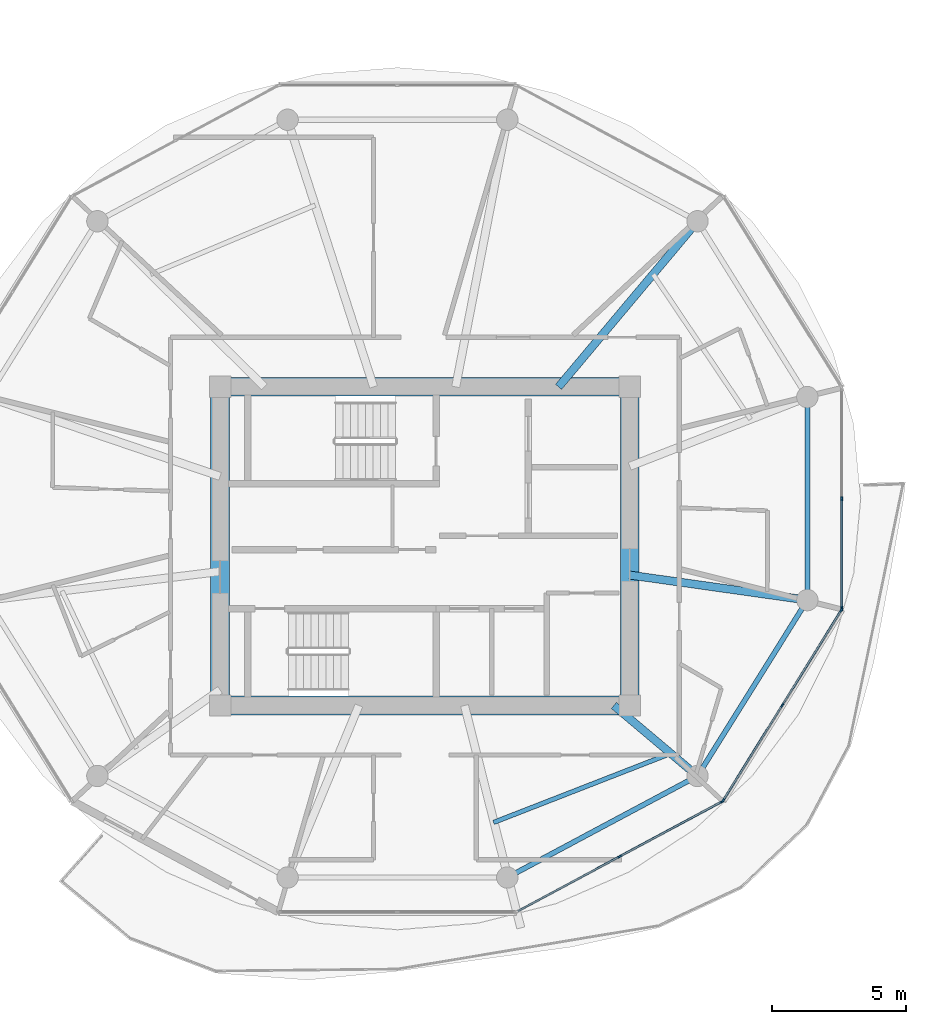
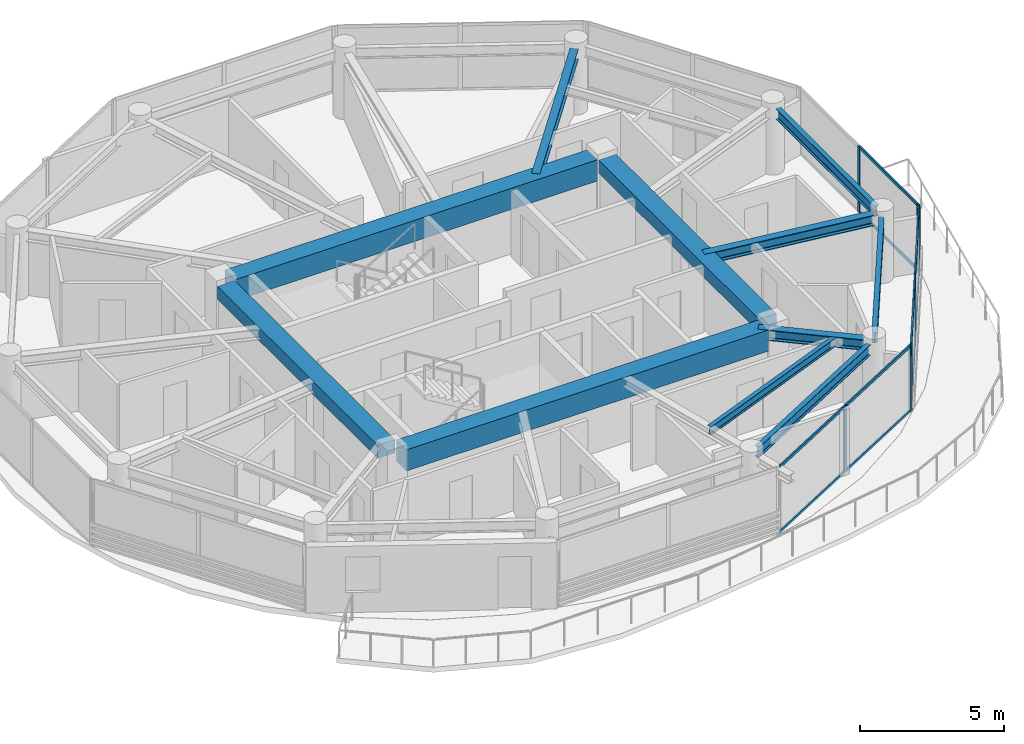
# One storey, part 9 of 24: 17 members, 11 beams, 3 elements without a shape of their own.
"""IFC4 building model written with IfcOpenShell, lengths in metres."""

from ifc_helpers import new_model, si_unit, direction, frame, origin, origin_2d, place, context, subcontext, project, spatial, rectangle, i_section, extrude, source, transform, mapped, material, layer, layer_set, material_profile, profile_set, type_object, type_shapes, element, aggregate, save


model = new_model("IFC4")

# Units and contexts
model_context = context("Model", 3, precision=1e-05, world=origin(), true_north=direction((0.0, 1.0)))
body_context = subcontext(model_context, "Body", "Model", "MODEL_VIEW")
ifc_project = project(units=[si_unit("LENGTHUNIT", "METRE"), si_unit("AREAUNIT", "SQUARE_METRE"), si_unit("VOLUMEUNIT", "CUBIC_METRE"), si_unit("PLANEANGLEUNIT", "RADIAN"), si_unit("MASSUNIT", "GRAM", prefix="KILO")], contexts=[model_context])

# Site, building, storey
site_placement = place(None, origin())
site = spatial("IfcSite", under=ifc_project, at=site_placement, CompositionType="ELEMENT")
building_placement = place(site_placement, origin())
building = spatial("IfcBuilding", under=site, at=building_placement, Name="Norrkilde Senior Care Towers", CompositionType="ELEMENT")
storey_placement = place(building_placement, frame((0.0, 0.0, 155.64990234375)))
storey = spatial("IfcBuildingStorey", under=building, at=storey_placement, Name="L48", CompositionType="ELEMENT", Elevation=155.64990234375)

# Beams
ifc_material_1 = material(Name="Concrete C60/75", Category="concrete")
ifc_material_profile_1 = material_profile(ifc_material_1, rectangle(XDim=0.699951171875, YDim=0.89990234375, at=origin_2d()), Name="RC BM 700x900")
ifc_profile_set_1 = profile_set([ifc_material_profile_1], Name="Concrete C60/75")
beam_type_1 = type_object("IfcBeamType", Name="Core Coupling Girder 700x900", PredefinedType="USERDEFINED", material=ifc_profile_set_1)
shared_shape_1 = source(origin(), body_context, "Body", "SweptSolid", [
    extrude(rectangle(XDim=0.699951171875, YDim=0.89990234375, at=origin_2d()), origin(), (0.0, 0.0, 1.0), 14.5400390625),
])
type_shapes(beam_type_1, [shared_shape_1])
for number, where, z_axis, x_axis, name in (
    (1, (20.72998046875, 5.949951171875, 2.360107421875), (1.0, 0.0, 0.0), (0.0, 1.0, 0.0), "L48 Core E N Coupling Girder"),
    (2, (20.72998046875, -5.949951171875, 2.360107421875), (1.0, 0.0, 0.0), (0.0, 1.0, 0.0), "L48 Core E S Coupling Girder"),
):
    element("IfcBeam", number, at=place(storey_placement, frame(where, z_axis=z_axis, x_axis=x_axis)), inside=storey, type_object=beam_type_1, Name=name, ObjectType="GIRDER", PredefinedType="USERDEFINED", context=body_context, shape_type="MappedRepresentation", body=[
        mapped(shared_shape_1, transform((0.0, 0.0, 0.0), x_axis=(1.0, 0.0, 0.0), y_axis=(0.0, 1.0, 0.0), z_axis=(0.0, 0.0, 1.0), scale=1.0)),
    ])
ifc_material_profile_2 = material_profile(ifc_material_1, rectangle(XDim=0.699951171875, YDim=0.550048828125, at=origin_2d()), Name="RC BM 700x550")
ifc_profile_set_2 = profile_set([ifc_material_profile_2], Name="Concrete C60/75")
beam_type_2 = type_object("IfcBeamType", Name="Core Portal Coupling Beam 700x550", PredefinedType="USERDEFINED", material=ifc_profile_set_2)
shared_shape_2 = source(origin(), body_context, "Body", "SweptSolid", [
    extrude(rectangle(XDim=0.699951171875, YDim=0.550048828125, at=origin_2d()), origin(), (0.0, 0.0, 1.0), 11.14013671875),
])
type_shapes(beam_type_2, [shared_shape_2])
for number, where, z_axis, x_axis, name in (
    (3, (20.35009765625, -5.570068359375, 2.53515625), (0.0, 1.0, 0.0), (-1.0, 0.0, 0.0), "L48 Core E W Coupling Girder"),
    (4, (35.64990234375, -5.570068359375, 2.53515625), (0.0, 1.0, 0.0), (-1.0, 0.0, 0.0), "L48 Core E E Coupling Girder"),
):
    element("IfcBeam", number, at=place(storey_placement, frame(where, z_axis=z_axis, x_axis=x_axis)), inside=storey, type_object=beam_type_2, Name=name, ObjectType="GIRDER", PredefinedType="USERDEFINED", context=body_context, shape_type="MappedRepresentation", body=[
        mapped(shared_shape_2, transform((0.0, 0.0, 0.0), x_axis=(1.0, 0.0, 0.0), y_axis=(0.0, 1.0, 0.0), z_axis=(0.0, 0.0, 1.0), scale=1.0)),
    ])
ifc_material_2 = material(Name="Steel S355", Category="steel")
ifc_material_profile_3 = material_profile(ifc_material_2, i_section(OverallWidth=0.300048828125, OverallDepth=0.449951171875, WebThickness=0.013916015625, FlangeThickness=0.02587890625, FilletRadius=0.027099609375, at=origin_2d()), Name="HEB 450")
ifc_profile_set_3 = profile_set([ifc_material_profile_3], Name="Steel S355")
beam_type_3 = type_object("IfcBeamType", Name="Radial Floor Beam Z3 HEB450", PredefinedType="BEAM", material=ifc_profile_set_3)
shared_shape_3 = source(origin(), body_context, "Body", "SweptSolid", [
    extrude(i_section(OverallWidth=0.300048828125, OverallDepth=0.449951171875, WebThickness=0.013916015625, FlangeThickness=0.02587890625, FilletRadius=0.027099609375, at=origin_2d()), origin(), (0.0, 0.0, 1.0), 7.71337890625),
])
beam_1_placement = place(storey_placement, frame((32.992919921875, 5.949951171875, 2.585205078125), z_axis=(0.642808239864, 0.766027131872, 0.0), x_axis=(-0.766027131872, 0.642808239864, 0.0)))
element("IfcBeam", 5, at=beam_1_placement, inside=storey, type_object=beam_type_3, Name="L48 Drum E Radial Floor Beam 02", PredefinedType="BEAM", context=body_context, shape_type="MappedRepresentation", body=[
    mapped(shared_shape_3, transform((0.0, 0.0, 0.0), x_axis=(1.0, 0.0, 0.0), y_axis=(0.0, 1.0, 0.0), z_axis=(0.0, 0.0, 1.0), scale=1.0)),
])
ifc_material_profile_4 = material_profile(ifc_material_2, i_section(OverallWidth=0.18994140625, OverallDepth=0.449951171875, WebThickness=0.009521484375, FlangeThickness=0.0146484375, FilletRadius=0.02099609375, at=origin_2d()), Name="IPE 450")
ifc_profile_set_4 = profile_set([ifc_material_profile_4], Name="Steel S355")
beam_type_4 = type_object("IfcBeamType", Name="Perimeter Ring Spandrel Z3 IPE450", PredefinedType="SPANDREL", material=ifc_profile_set_4)
shared_shape_4 = source(origin(), body_context, "Body", "SweptSolid", [
    extrude(i_section(OverallWidth=0.18994140625, OverallDepth=0.449951171875, WebThickness=0.009521484375, FlangeThickness=0.0146484375, FilletRadius=0.02099609375, at=origin_2d()), origin(), (0.0, 0.0, 1.0), 6.86328125),
])
beam_2_placement = place(storey_placement, frame((42.284912109375, -1.65625, 2.585205078125), z_axis=(0.0, 1.0, 0.0), x_axis=(-1.0, 0.0, 0.0)))
element("IfcBeam", 6, at=beam_2_placement, inside=storey, type_object=beam_type_4, Name="L48 Drum E Perimeter Spandrel 12", PredefinedType="SPANDREL", context=body_context, shape_type="MappedRepresentation", body=[
    mapped(shared_shape_4, transform((0.0, 0.0, 0.0), x_axis=(1.0, 0.0, 0.0), y_axis=(0.0, 1.0, 0.0), z_axis=(0.0, 0.0, 1.0), scale=1.0)),
])
shared_shape_5 = source(origin(), body_context, "Body", "SweptSolid", [
    extrude(i_section(OverallWidth=0.18994140625, OverallDepth=0.449951171875, WebThickness=0.009521484375, FlangeThickness=0.0146484375, FilletRadius=0.02099609375, at=origin_2d()), origin(), (0.0, 0.0, 1.0), 7.023193359375),
])
beam_3_placement = place(storey_placement, frame((38.373291015625, -8.2783203125, 2.585205078125), z_axis=(0.529805197269, 0.848119362441, 0.0), x_axis=(-0.848119362441, 0.529805197269, 0.0)))
element("IfcBeam", 7, at=beam_3_placement, inside=storey, type_object=beam_type_4, Name="L48 Drum E Perimeter Spandrel 11", PredefinedType="SPANDREL", context=body_context, shape_type="MappedRepresentation", body=[
    mapped(shared_shape_5, transform((0.0, 0.0, 0.0), x_axis=(1.0, 0.0, 0.0), y_axis=(0.0, 1.0, 0.0), z_axis=(0.0, 0.0, 1.0), scale=1.0)),
])
shared_shape_6 = source(origin(), body_context, "Body", "SweptSolid", [
    extrude(i_section(OverallWidth=0.300048828125, OverallDepth=0.449951171875, WebThickness=0.013916015625, FlangeThickness=0.02587890625, FilletRadius=0.027099609375, at=origin_2d()), origin(), (0.0, 0.0, 1.0), 6.3408203125),
])
beam_4_placement = place(storey_placement, frame((35.64990234375, -1.079833984375, 2.585205078125), z_axis=(0.990184519576, -0.139766294905, 0.0), x_axis=(0.139766294905, 0.990184519576, 0.0)))
element("IfcBeam", 8, at=beam_4_placement, inside=storey, type_object=beam_type_3, Name="L48 Drum E Radial Floor Beam 12", PredefinedType="BEAM", context=body_context, shape_type="MappedRepresentation", body=[
    mapped(shared_shape_6, transform((0.0, 0.0, 0.0), x_axis=(1.0, 0.0, 0.0), y_axis=(0.0, 1.0, 0.0), z_axis=(0.0, 0.0, 1.0), scale=1.0)),
])
shared_shape_7 = source(origin(), body_context, "Body", "SweptSolid", [
    extrude(i_section(OverallWidth=0.18994140625, OverallDepth=0.449951171875, WebThickness=0.009521484375, FlangeThickness=0.0146484375, FilletRadius=0.02099609375, at=origin_2d()), origin(), (0.0, 0.0, 1.0), 7.333984375),
])
type_shapes(beam_type_4, [shared_shape_4, shared_shape_5, shared_shape_7])
beam_5_placement = place(storey_placement, frame((31.394775390625, -12.2060546875, 2.585205078125), z_axis=(0.882234038987, 0.470811109101, 0.0), x_axis=(-0.470811109101, 0.882234038987, 0.0)))
element("IfcBeam", 9, at=beam_5_placement, inside=storey, type_object=beam_type_4, Name="L48 Drum E Perimeter Spandrel 10", PredefinedType="SPANDREL", context=body_context, shape_type="MappedRepresentation", body=[
    mapped(shared_shape_7, transform((0.0, 0.0, 0.0), x_axis=(1.0, 0.0, 0.0), y_axis=(0.0, 1.0, 0.0), z_axis=(0.0, 0.0, 1.0), scale=1.0)),
])
shared_shape_8 = source(origin(), body_context, "Body", "SweptSolid", [
    extrude(i_section(OverallWidth=0.300048828125, OverallDepth=0.449951171875, WebThickness=0.013916015625, FlangeThickness=0.02587890625, FilletRadius=0.027099609375, at=origin_2d()), origin(), (0.0, 0.0, 1.0), 3.7265625),
])
type_shapes(beam_type_3, [shared_shape_3, shared_shape_6, shared_shape_8])
beam_6_placement = place(storey_placement, frame((35.058349609375, -5.949951171875, 2.585205078125), z_axis=(0.764567902106, -0.644543189453, 0.0), x_axis=(0.644543189453, 0.764567902106, 0.0)))
element("IfcBeam", 10, at=beam_6_placement, inside=storey, type_object=beam_type_3, Name="L48 Drum E Radial Floor Beam 11", PredefinedType="BEAM", context=body_context, shape_type="MappedRepresentation", body=[
    mapped(shared_shape_8, transform((0.0, 0.0, 0.0), x_axis=(1.0, 0.0, 0.0), y_axis=(0.0, 1.0, 0.0), z_axis=(0.0, 0.0, 1.0), scale=1.0)),
])
ifc_material_profile_5 = material_profile(ifc_material_2, i_section(OverallWidth=0.169921875, OverallDepth=0.360107421875, WebThickness=0.008056640625, FlangeThickness=0.0126953125, FilletRadius=0.01806640625, at=origin_2d()), Name="IPE 360")
ifc_profile_set_5 = profile_set([ifc_material_profile_5], Name="Steel S355")
beam_type_5 = type_object("IfcBeamType", Name="Secondary Floor Joist IPE360", PredefinedType="JOIST", material=ifc_profile_set_5)
shared_shape_9 = source(origin(), body_context, "Body", "SweptSolid", [
    extrude(i_section(OverallWidth=0.169921875, OverallDepth=0.360107421875, WebThickness=0.008056640625, FlangeThickness=0.0126953125, FilletRadius=0.01806640625, at=origin_2d()), origin(), (0.0, 0.0, 1.0), 7.1015625),
])
type_shapes(beam_type_5, [shared_shape_9])
beam_7_placement = place(storey_placement, frame((30.56591796875, -10.3193359375, 2.630126953125), z_axis=(0.931761231292, 0.363071629106, 0.0), x_axis=(-0.363071629106, 0.931761231292, 0.0)))
element("IfcBeam", 11, at=beam_7_placement, inside=storey, type_object=beam_type_5, Name="L48 Drum E Secondary Floor Joist 4", PredefinedType="JOIST", context=body_context, shape_type="MappedRepresentation", body=[
    mapped(shared_shape_9, transform((0.0, 0.0, 0.0), x_axis=(1.0, 0.0, 0.0), y_axis=(0.0, 1.0, 0.0), z_axis=(0.0, 0.0, 1.0), scale=1.0)),
])

# Curtain wall, members
ifc_material_3 = material(Name="Triple Low-E Insulated Glazing", Category="glass")
ifc_layer = layer(ifc_material_3, 0.18994140625)
ifc_layer_set = layer_set([ifc_layer], Name="Triple Low-E Insulated Glazing")
curtain_wall_type = type_object("IfcCurtainWallType", Name="CW4 Zone 3 Senior Residence Curtain Wall", PredefinedType="NOTDEFINED", material=ifc_layer_set)
curtain_wall_1_placement = place(storey_placement, origin())
curtain_wall_1 = element("IfcCurtainWall", 12, at=curtain_wall_1_placement, inside=storey, type_object=curtain_wall_type, Name="L48 Drum E Curtain Wall 09", PredefinedType="NOTDEFINED")
ifc_material_4 = material(Name="Anodised Aluminium", Category="aluminium")
ifc_material_profile_6 = material_profile(ifc_material_4, rectangle(XDim=0.06494140625, YDim=0.14990234375, at=origin_2d()), Name="ALU MULL 65x150")
ifc_profile_set_6 = profile_set([ifc_material_profile_6], Name="Anodised Aluminium")
member_type_1 = type_object("IfcMemberType", Name="Curtain Wall Mullion Z3-Z4 65x150", PredefinedType="MULLION", material=ifc_profile_set_6)
shared_shape_10 = source(origin(), body_context, "Body", "SweptSolid", [
    extrude(rectangle(XDim=0.06494140625, YDim=0.14990234375, at=origin_2d()), origin(), (0.0, 0.0, 1.0), 2.81005859375),
])
type_shapes(member_type_1, [shared_shape_10])
member_1_placement = place(storey_placement, frame((39.094482421875, -9.53955078125, 0.0), z_axis=(0.0, 0.0, 1.0), x_axis=(0.47311715104, -0.880999524059, 0.0)))
member_1 = element("IfcMember", 13, at=member_1_placement, type_object=member_type_1, Name="CW-4 mullion 1", PredefinedType="MULLION", context=body_context, shape_type="MappedRepresentation", body=[
    mapped(shared_shape_10, transform((0.0, 0.0, 0.0), x_axis=(1.0, 0.0, 0.0), y_axis=(0.0, 1.0, 0.0), z_axis=(0.0, 0.0, 1.0), scale=1.0)),
])
member_2_placement = place(storey_placement, frame((35.272216796875, -11.59228515625, 0.0), z_axis=(0.0, 0.0, 1.0), x_axis=(0.47311715104, -0.880999524059, 0.0)))
member_2 = element("IfcMember", 14, at=member_2_placement, type_object=member_type_1, Name="CW-4 mullion 2", PredefinedType="MULLION", context=body_context, shape_type="MappedRepresentation", body=[
    mapped(shared_shape_10, transform((0.0, 0.0, 0.0), x_axis=(1.0, 0.0, 0.0), y_axis=(0.0, 1.0, 0.0), z_axis=(0.0, 0.0, 1.0), scale=1.0)),
])

curtain_wall_2_placement = place(storey_placement, origin())
curtain_wall_2 = element("IfcCurtainWall", 15, at=curtain_wall_2_placement, inside=storey, type_object=curtain_wall_type, Name="L48 Drum E Curtain Wall 10", PredefinedType="NOTDEFINED")
member_3_placement = place(storey_placement, frame((43.552490234375, -2.38818359375, 0.0), z_axis=(0.0, 0.0, 1.0), x_axis=(0.84963405474, -0.52737270789, 0.0)))
member_3 = element("IfcMember", 16, at=member_3_placement, type_object=member_type_1, Name="CW-4 mullion 1", PredefinedType="MULLION", context=body_context, shape_type="MappedRepresentation", body=[
    mapped(shared_shape_10, transform((0.0, 0.0, 0.0), x_axis=(1.0, 0.0, 0.0), y_axis=(0.0, 1.0, 0.0), z_axis=(0.0, 0.0, 1.0), scale=1.0)),
])
member_4_placement = place(storey_placement, frame((41.346435546875, -5.9423828125, 0.0), z_axis=(0.0, 0.0, 1.0), x_axis=(0.84963405474, -0.52737270789, 0.0)))
member_4 = element("IfcMember", 17, at=member_4_placement, type_object=member_type_1, Name="CW-4 mullion 2", PredefinedType="MULLION", context=body_context, shape_type="MappedRepresentation", body=[
    mapped(shared_shape_10, transform((0.0, 0.0, 0.0), x_axis=(1.0, 0.0, 0.0), y_axis=(0.0, 1.0, 0.0), z_axis=(0.0, 0.0, 1.0), scale=1.0)),
])
member_5_placement = place(storey_placement, frame((39.14013671875, -9.49658203125, 0.0), z_axis=(0.0, 0.0, 1.0), x_axis=(0.84963405474, -0.52737270789, 0.0)))
member_5 = element("IfcMember", 18, at=member_5_placement, type_object=member_type_1, Name="CW-4 mullion 3", PredefinedType="MULLION", context=body_context, shape_type="MappedRepresentation", body=[
    mapped(shared_shape_10, transform((0.0, 0.0, 0.0), x_axis=(1.0, 0.0, 0.0), y_axis=(0.0, 1.0, 0.0), z_axis=(0.0, 0.0, 1.0), scale=1.0)),
])

curtain_wall_3_placement = place(storey_placement, origin())
curtain_wall_3 = element("IfcCurtainWall", 19, at=curtain_wall_3_placement, inside=storey, type_object=curtain_wall_type, Name="L48 Drum E Curtain Wall 11", PredefinedType="NOTDEFINED")
member_6_placement = place(storey_placement, frame((43.569580078125, 1.775390625, 0.0), z_axis=(0.0, 0.0, 1.0), x_axis=(1.0, 0.0, 0.0)))
member_6 = element("IfcMember", 20, at=member_6_placement, type_object=member_type_1, Name="CW-4 mullion 2", PredefinedType="MULLION", context=body_context, shape_type="MappedRepresentation", body=[
    mapped(shared_shape_10, transform((0.0, 0.0, 0.0), x_axis=(1.0, 0.0, 0.0), y_axis=(0.0, 1.0, 0.0), z_axis=(0.0, 0.0, 1.0), scale=1.0)),
])
member_7_placement = place(storey_placement, frame((43.569580078125, -2.328125, 0.0), z_axis=(0.0, 0.0, 1.0), x_axis=(1.0, 0.0, 0.0)))
member_7 = element("IfcMember", 21, at=member_7_placement, type_object=member_type_1, Name="CW-4 mullion 3", PredefinedType="MULLION", context=body_context, shape_type="MappedRepresentation", body=[
    mapped(shared_shape_10, transform((0.0, 0.0, 0.0), x_axis=(1.0, 0.0, 0.0), y_axis=(0.0, 1.0, 0.0), z_axis=(0.0, 0.0, 1.0), scale=1.0)),
])

# Member
ifc_material_profile_7 = material_profile(ifc_material_4, rectangle(XDim=0.06005859375, YDim=0.1201171875, at=origin_2d()), Name="ALU TRAN 60x120")
ifc_profile_set_7 = profile_set([ifc_material_profile_7], Name="Anodised Aluminium")
member_type_2 = type_object("IfcMemberType", Name="Curtain Wall Transom Typical 60x120", PredefinedType="USERDEFINED", material=ifc_profile_set_7)
shared_shape_11 = source(origin(), body_context, "Body", "SweptSolid", [
    extrude(rectangle(XDim=0.06005859375, YDim=0.1201171875, at=origin_2d()), origin(), (0.0, 0.0, 1.0), 4.1181640625),
])
member_8_placement = place(storey_placement, frame((43.535400390625, -2.415771484375, 0.030029296875), z_axis=(-0.527374667286, -0.849632838528, 0.0), x_axis=(0.849632838528, -0.527374667286, 0.0)))
member_8 = element("IfcMember", 22, at=member_8_placement, type_object=member_type_2, Name="CW-4 transom 1.1", ObjectType="TRANSOM", PredefinedType="USERDEFINED", context=body_context, shape_type="MappedRepresentation", body=[
    mapped(shared_shape_11, transform((0.0, 0.0, 0.0), x_axis=(1.0, 0.0, 0.0), y_axis=(0.0, 1.0, 0.0), z_axis=(0.0, 0.0, 1.0), scale=1.0)),
])

member_9_placement = place(storey_placement, frame((43.535400390625, -2.415771484375, 2.780029296875), z_axis=(-0.527374667286, -0.849632838528, 0.0), x_axis=(0.849632838528, -0.527374667286, 0.0)))
member_9 = element("IfcMember", 23, at=member_9_placement, type_object=member_type_2, Name="CW-4 transom 1.2", ObjectType="TRANSOM", PredefinedType="USERDEFINED", context=body_context, shape_type="MappedRepresentation", body=[
    mapped(shared_shape_11, transform((0.0, 0.0, 0.0), x_axis=(1.0, 0.0, 0.0), y_axis=(0.0, 1.0, 0.0), z_axis=(0.0, 0.0, 1.0), scale=1.0)),
])

member_10_placement = place(storey_placement, frame((41.3291015625, -5.969970703125, 0.030029296875), z_axis=(-0.527331870867, -0.849659401153, 0.0), x_axis=(0.849659401153, -0.527331870867, 0.0)))
member_10 = element("IfcMember", 24, at=member_10_placement, type_object=member_type_2, Name="CW-4 transom 2.1", ObjectType="TRANSOM", PredefinedType="USERDEFINED", context=body_context, shape_type="MappedRepresentation", body=[
    mapped(shared_shape_11, transform((0.0, 0.0, 0.0), x_axis=(1.0, 0.0, 0.0), y_axis=(0.0, 1.0, 0.0), z_axis=(0.0, 0.0, 1.0), scale=1.0)),
])

member_11_placement = place(storey_placement, frame((41.3291015625, -5.969970703125, 2.780029296875), z_axis=(-0.527331870867, -0.849659401153, 0.0), x_axis=(0.849659401153, -0.527331870867, 0.0)))
member_11 = element("IfcMember", 25, at=member_11_placement, type_object=member_type_2, Name="CW-4 transom 2.2", ObjectType="TRANSOM", PredefinedType="USERDEFINED", context=body_context, shape_type="MappedRepresentation", body=[
    mapped(shared_shape_11, transform((0.0, 0.0, 0.0), x_axis=(1.0, 0.0, 0.0), y_axis=(0.0, 1.0, 0.0), z_axis=(0.0, 0.0, 1.0), scale=1.0)),
])

aggregate(curtain_wall_2, [member_3, member_4, member_5, member_8, member_9, member_10, member_11])

shared_shape_12 = source(origin(), body_context, "Body", "SweptSolid", [
    extrude(rectangle(XDim=0.06005859375, YDim=0.1201171875, at=origin_2d()), origin(), (0.0, 0.0, 1.0), 4.2734375),
])
member_12_placement = place(storey_placement, frame((39.06591796875, -9.554931640625, 0.030029296875), z_axis=(-0.880986050649, -0.47314223925, 0.0), x_axis=(0.47314223925, -0.880986050649, 0.0)))
member_12 = element("IfcMember", 26, at=member_12_placement, type_object=member_type_2, Name="CW-4 transom 1.1", ObjectType="TRANSOM", PredefinedType="USERDEFINED", context=body_context, shape_type="MappedRepresentation", body=[
    mapped(shared_shape_12, transform((0.0, 0.0, 0.0), x_axis=(1.0, 0.0, 0.0), y_axis=(0.0, 1.0, 0.0), z_axis=(0.0, 0.0, 1.0), scale=1.0)),
])

member_13_placement = place(storey_placement, frame((39.06591796875, -9.554931640625, 2.780029296875), z_axis=(-0.880986050649, -0.47314223925, 0.0), x_axis=(0.47314223925, -0.880986050649, 0.0)))
member_13 = element("IfcMember", 27, at=member_13_placement, type_object=member_type_2, Name="CW-4 transom 1.2", ObjectType="TRANSOM", PredefinedType="USERDEFINED", context=body_context, shape_type="MappedRepresentation", body=[
    mapped(shared_shape_12, transform((0.0, 0.0, 0.0), x_axis=(1.0, 0.0, 0.0), y_axis=(0.0, 1.0, 0.0), z_axis=(0.0, 0.0, 1.0), scale=1.0)),
])

member_14_placement = place(storey_placement, frame((35.24365234375, -11.607666015625, 0.030029296875), z_axis=(-0.881009863348, -0.473097897567, 0.0), x_axis=(0.473097897567, -0.881009863348, 0.0)))
member_14 = element("IfcMember", 28, at=member_14_placement, type_object=member_type_2, Name="CW-4 transom 2.1", ObjectType="TRANSOM", PredefinedType="USERDEFINED", context=body_context, shape_type="MappedRepresentation", body=[
    mapped(shared_shape_12, transform((0.0, 0.0, 0.0), x_axis=(1.0, 0.0, 0.0), y_axis=(0.0, 1.0, 0.0), z_axis=(0.0, 0.0, 1.0), scale=1.0)),
])

member_15_placement = place(storey_placement, frame((35.24365234375, -11.607666015625, 2.780029296875), z_axis=(-0.881009863348, -0.473097897567, 0.0), x_axis=(0.473097897567, -0.881009863348, 0.0)))
member_15 = element("IfcMember", 29, at=member_15_placement, type_object=member_type_2, Name="CW-4 transom 2.2", ObjectType="TRANSOM", PredefinedType="USERDEFINED", context=body_context, shape_type="MappedRepresentation", body=[
    mapped(shared_shape_12, transform((0.0, 0.0, 0.0), x_axis=(1.0, 0.0, 0.0), y_axis=(0.0, 1.0, 0.0), z_axis=(0.0, 0.0, 1.0), scale=1.0)),
])

aggregate(curtain_wall_1, [member_1, member_2, member_12, member_13, member_14, member_15])

shared_shape_13 = source(origin(), body_context, "Body", "SweptSolid", [
    extrude(rectangle(XDim=0.06005859375, YDim=0.1201171875, at=origin_2d()), origin(), (0.0, 0.0, 1.0), 4.03857421875),
])
type_shapes(member_type_2, [shared_shape_11, shared_shape_12, shared_shape_13])
member_16_placement = place(storey_placement, frame((43.569580078125, 1.742919921875, 0.030029296875), z_axis=(0.0, -1.0, 0.0), x_axis=(1.0, 0.0, 0.0)))
member_16 = element("IfcMember", 30, at=member_16_placement, type_object=member_type_2, Name="CW-4 transom 2.1", ObjectType="TRANSOM", PredefinedType="USERDEFINED", context=body_context, shape_type="MappedRepresentation", body=[
    mapped(shared_shape_13, transform((0.0, 0.0, 0.0), x_axis=(1.0, 0.0, 0.0), y_axis=(0.0, 1.0, 0.0), z_axis=(0.0, 0.0, 1.0), scale=1.0)),
])

member_17_placement = place(storey_placement, frame((43.569580078125, 1.742919921875, 2.780029296875), z_axis=(0.0, -1.0, 0.0), x_axis=(1.0, 0.0, 0.0)))
member_17 = element("IfcMember", 31, at=member_17_placement, type_object=member_type_2, Name="CW-4 transom 2.2", ObjectType="TRANSOM", PredefinedType="USERDEFINED", context=body_context, shape_type="MappedRepresentation", body=[
    mapped(shared_shape_13, transform((0.0, 0.0, 0.0), x_axis=(1.0, 0.0, 0.0), y_axis=(0.0, 1.0, 0.0), z_axis=(0.0, 0.0, 1.0), scale=1.0)),
])

aggregate(curtain_wall_3, [member_6, member_7, member_16, member_17])

save(model, "model.ifc")
